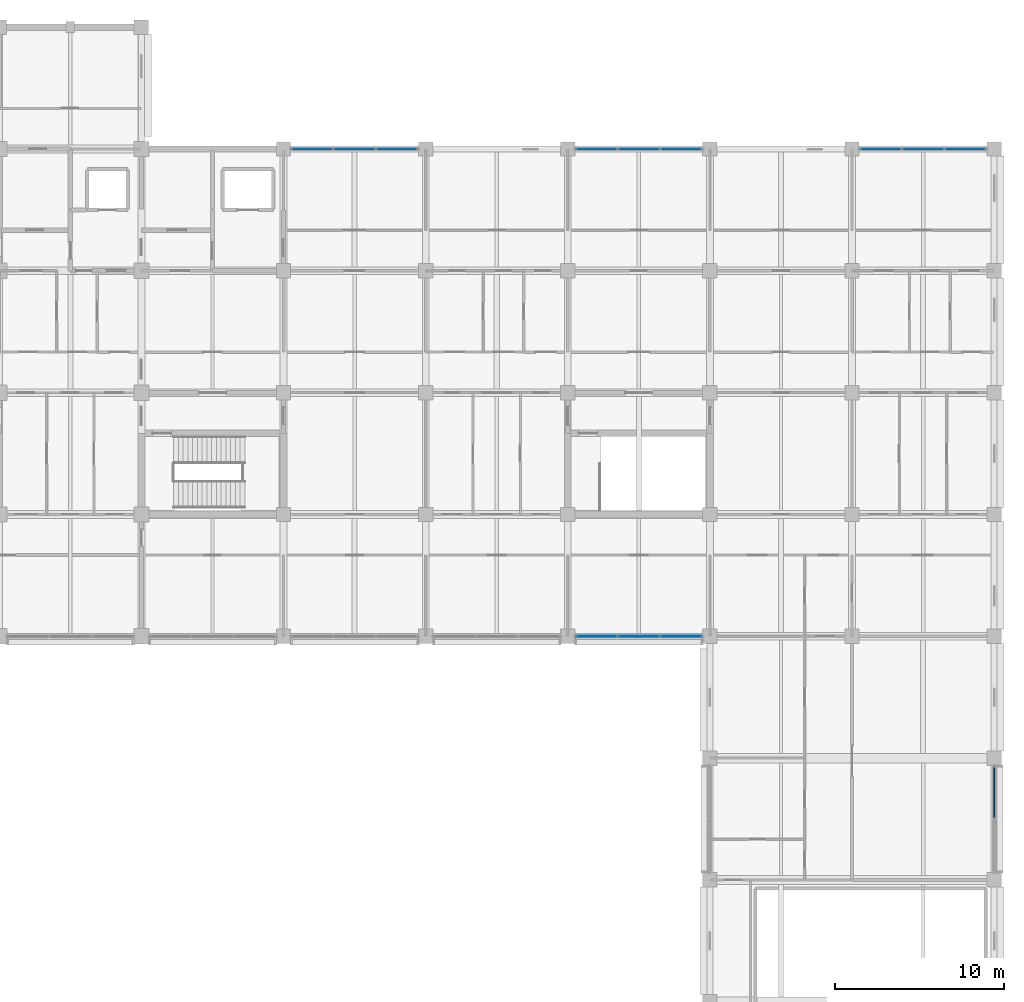
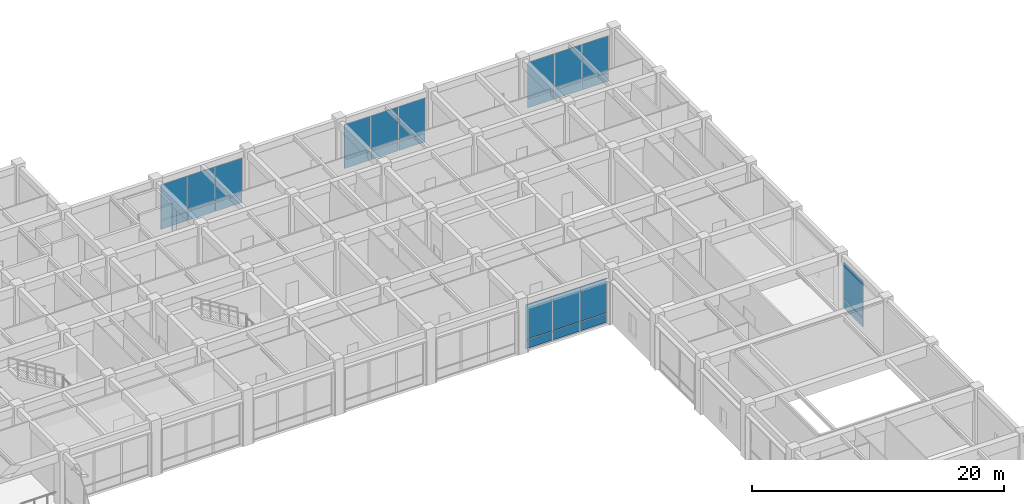
# One storey, part 29 of 58: 26 plates, 5 elements without a shape of their own.
"""IFC4 building model written with IfcOpenShell, lengths in metres."""

from ifc_helpers import new_model, si_unit, direction, frame, origin, origin_2d, place, context, subcontext, project, spatial, rectangle, extrude, material, layer, layer_set, type_object, element, aggregate, save


model = new_model("IFC4")

# Units and contexts
model_context = context("Model", 3, precision=1e-05, world=origin(), true_north=direction((0.0, 1.0)))
body_context = subcontext(model_context, "Body", "Model", "MODEL_VIEW")
ifc_project = project(units=[si_unit("LENGTHUNIT", "METRE"), si_unit("AREAUNIT", "SQUARE_METRE"), si_unit("VOLUMEUNIT", "CUBIC_METRE"), si_unit("PLANEANGLEUNIT", "RADIAN"), si_unit("MASSUNIT", "GRAM", prefix="KILO")], contexts=[model_context])

# Site, building, storey
site_placement = place(None, origin())
site = spatial("IfcSite", under=ifc_project, at=site_placement, CompositionType="ELEMENT")
building_placement = place(site_placement, origin())
building = spatial("IfcBuilding", under=site, at=building_placement, Name="Chengyuan Square Courthouse", CompositionType="ELEMENT")
storey_placement = place(building_placement, frame((0.0, 0.0, 16.199951171875)))
storey = spatial("IfcBuildingStorey", under=building, at=storey_placement, Name="L04", CompositionType="ELEMENT", Elevation=16.199951171875)

# Curtain wall, plates
ifc_material_1 = material(Name="Unitised Aluminium and Triple Low-E Glass", Category="aluminium")
ifc_layer_1 = layer(ifc_material_1, 0.179931640625)
ifc_layer_set_1 = layer_set([ifc_layer_1], Name="Unitised Aluminium and Triple Low-E Glass")
curtain_wall_type_1 = type_object("IfcCurtainWallType", Name="CW-10", PredefinedType="USERDEFINED", material=ifc_layer_set_1)
curtain_wall_1_placement = place(storey_placement, origin())
curtain_wall_1 = element("IfcCurtainWall", 1, at=curtain_wall_1_placement, inside=storey, type_object=curtain_wall_type_1, Name="Unitised Curtain Wall CW-L04-152", ObjectType="UNITISED CURTAIN WALL", PredefinedType="USERDEFINED")
ifc_material_2 = material(Name="Triple Low-E Insulating Glass", Category="glass")
ifc_layer_2 = layer(ifc_material_2, 0.052001953125)
ifc_layer_set_2 = layer_set([ifc_layer_2], Name="Triple Low-E Insulating Glass")
plate_type_1 = type_object("IfcPlateType", Name="CWP-04", PredefinedType="CURTAIN_PANEL", material=ifc_layer_set_2)
plate_1_placement = place(storey_placement, frame((127.699462890625, 108.0, 0.06494140625), z_axis=(0.0, 0.0, 1.0), x_axis=(1.0, 0.0, 0.0)))
plate_1 = element("IfcPlate", 2, at=plate_1_placement, type_object=plate_type_1, Name="CW-10 panel 1.1", PredefinedType="CURTAIN_PANEL", context=body_context, shape_type="SweptSolid", body=[
    extrude(rectangle(XDim=2.419189453125, YDim=0.052001953125, at=origin_2d()), origin(), (0.0, 0.0, 1.0), 0.8525390625),
])
plate_2_placement = place(storey_placement, frame((127.699462890625, 108.0, 0.982421875), z_axis=(0.0, 0.0, 1.0), x_axis=(1.0, 0.0, 0.0)))
plate_2 = element("IfcPlate", 3, at=plate_2_placement, type_object=plate_type_1, Name="CW-10 panel 1.2", PredefinedType="CURTAIN_PANEL", context=body_context, shape_type="SweptSolid", body=[
    extrude(rectangle(XDim=2.419189453125, YDim=0.052001953125, at=origin_2d()), origin(), (0.0, 0.0, 1.0), 3.422607421875),
])
plate_3_placement = place(storey_placement, frame((130.199951171875, 108.0, 0.06494140625), z_axis=(0.0, 0.0, 1.0), x_axis=(1.0, 0.0, 0.0)))
plate_3 = element("IfcPlate", 4, at=plate_3_placement, type_object=plate_type_1, Name="CW-10 panel 2.1", PredefinedType="CURTAIN_PANEL", context=body_context, shape_type="SweptSolid", body=[
    extrude(rectangle(XDim=2.45166015625, YDim=0.052001953125, at=origin_2d()), origin(), (0.0, 0.0, 1.0), 0.8525390625),
])
plate_4_placement = place(storey_placement, frame((130.199951171875, 108.0, 0.982421875), z_axis=(0.0, 0.0, 1.0), x_axis=(1.0, 0.0, 0.0)))
plate_4 = element("IfcPlate", 5, at=plate_4_placement, type_object=plate_type_1, Name="CW-10 panel 2.2", PredefinedType="CURTAIN_PANEL", context=body_context, shape_type="SweptSolid", body=[
    extrude(rectangle(XDim=2.45166015625, YDim=0.052001953125, at=origin_2d()), origin(), (0.0, 0.0, 1.0), 3.422607421875),
])
plate_5_placement = place(storey_placement, frame((132.700439453125, 108.0, 0.06494140625), z_axis=(0.0, 0.0, 1.0), x_axis=(1.0, 0.0, 0.0)))
plate_5 = element("IfcPlate", 6, at=plate_5_placement, type_object=plate_type_1, Name="CW-10 panel 3.1", PredefinedType="CURTAIN_PANEL", context=body_context, shape_type="SweptSolid", body=[
    extrude(rectangle(XDim=2.419189453125, YDim=0.052001953125, at=origin_2d()), origin(), (0.0, 0.0, 1.0), 0.8525390625),
])
plate_6_placement = place(storey_placement, frame((132.700439453125, 108.0, 0.982421875), z_axis=(0.0, 0.0, 1.0), x_axis=(1.0, 0.0, 0.0)))
plate_6 = element("IfcPlate", 7, at=plate_6_placement, type_object=plate_type_1, Name="CW-10 panel 3.2", PredefinedType="CURTAIN_PANEL", context=body_context, shape_type="SweptSolid", body=[
    extrude(rectangle(XDim=2.419189453125, YDim=0.052001953125, at=origin_2d()), origin(), (0.0, 0.0, 1.0), 3.422607421875),
])
aggregate(curtain_wall_1, [plate_1, plate_2, plate_3, plate_4, plate_5, plate_6])

curtain_wall_2_placement = place(storey_placement, origin())
curtain_wall_2 = element("IfcCurtainWall", 8, at=curtain_wall_2_placement, inside=storey, type_object=curtain_wall_type_1, Name="Unitised Curtain Wall CW-L04-154", ObjectType="UNITISED CURTAIN WALL", PredefinedType="USERDEFINED")
plate_7_placement = place(storey_placement, frame((144.49951171875, 79.199951171875, 0.06494140625), z_axis=(0.0, 0.0, 1.0), x_axis=(1.0, 0.0, 0.0)))
plate_7 = element("IfcPlate", 9, at=plate_7_placement, type_object=plate_type_1, Name="CW-10 panel 1.1", PredefinedType="CURTAIN_PANEL", context=body_context, shape_type="SweptSolid", body=[
    extrude(rectangle(XDim=2.419189453125, YDim=0.052001953125, at=origin_2d()), origin(), (0.0, 0.0, 1.0), 0.8525390625),
])
plate_8_placement = place(storey_placement, frame((144.49951171875, 79.199951171875, 0.982421875), z_axis=(0.0, 0.0, 1.0), x_axis=(1.0, 0.0, 0.0)))
plate_8 = element("IfcPlate", 10, at=plate_8_placement, type_object=plate_type_1, Name="CW-10 panel 1.2", PredefinedType="CURTAIN_PANEL", context=body_context, shape_type="SweptSolid", body=[
    extrude(rectangle(XDim=2.419189453125, YDim=0.052001953125, at=origin_2d()), origin(), (0.0, 0.0, 1.0), 3.3525390625),
])
plate_9_placement = place(storey_placement, frame((147.0, 79.199951171875, 0.06494140625), z_axis=(0.0, 0.0, 1.0), x_axis=(1.0, 0.0, 0.0)))
plate_9 = element("IfcPlate", 11, at=plate_9_placement, type_object=plate_type_1, Name="CW-10 panel 2.1", PredefinedType="CURTAIN_PANEL", context=body_context, shape_type="SweptSolid", body=[
    extrude(rectangle(XDim=2.45166015625, YDim=0.052001953125, at=origin_2d()), origin(), (0.0, 0.0, 1.0), 0.8525390625),
])
plate_10_placement = place(storey_placement, frame((147.0, 79.199951171875, 0.982421875), z_axis=(0.0, 0.0, 1.0), x_axis=(1.0, 0.0, 0.0)))
plate_10 = element("IfcPlate", 12, at=plate_10_placement, type_object=plate_type_1, Name="CW-10 panel 2.2", PredefinedType="CURTAIN_PANEL", context=body_context, shape_type="SweptSolid", body=[
    extrude(rectangle(XDim=2.45166015625, YDim=0.052001953125, at=origin_2d()), origin(), (0.0, 0.0, 1.0), 3.3525390625),
])
plate_11_placement = place(storey_placement, frame((149.50048828125, 79.199951171875, 0.06494140625), z_axis=(0.0, 0.0, 1.0), x_axis=(1.0, 0.0, 0.0)))
plate_11 = element("IfcPlate", 13, at=plate_11_placement, type_object=plate_type_1, Name="CW-10 panel 3.1", PredefinedType="CURTAIN_PANEL", context=body_context, shape_type="SweptSolid", body=[
    extrude(rectangle(XDim=2.419189453125, YDim=0.052001953125, at=origin_2d()), origin(), (0.0, 0.0, 1.0), 0.8525390625),
])
plate_12_placement = place(storey_placement, frame((149.50048828125, 79.199951171875, 0.982421875), z_axis=(0.0, 0.0, 1.0), x_axis=(1.0, 0.0, 0.0)))
plate_12 = element("IfcPlate", 14, at=plate_12_placement, type_object=plate_type_1, Name="CW-10 panel 3.2", PredefinedType="CURTAIN_PANEL", context=body_context, shape_type="SweptSolid", body=[
    extrude(rectangle(XDim=2.419189453125, YDim=0.052001953125, at=origin_2d()), origin(), (0.0, 0.0, 1.0), 3.3525390625),
])
aggregate(curtain_wall_2, [plate_7, plate_8, plate_9, plate_10, plate_11, plate_12])

curtain_wall_3_placement = place(storey_placement, origin())
curtain_wall_3 = element("IfcCurtainWall", 15, at=curtain_wall_3_placement, inside=storey, type_object=curtain_wall_type_1, Name="Unitised Curtain Wall CW-L04-155", ObjectType="UNITISED CURTAIN WALL", PredefinedType="USERDEFINED")
plate_13_placement = place(storey_placement, frame((144.49951171875, 108.0, 0.06494140625), z_axis=(0.0, 0.0, 1.0), x_axis=(1.0, 0.0, 0.0)))
plate_13 = element("IfcPlate", 16, at=plate_13_placement, type_object=plate_type_1, Name="CW-10 panel 1.1", PredefinedType="CURTAIN_PANEL", context=body_context, shape_type="SweptSolid", body=[
    extrude(rectangle(XDim=2.419189453125, YDim=0.052001953125, at=origin_2d()), origin(), (0.0, 0.0, 1.0), 0.8525390625),
])
plate_14_placement = place(storey_placement, frame((144.49951171875, 108.0, 0.982421875), z_axis=(0.0, 0.0, 1.0), x_axis=(1.0, 0.0, 0.0)))
plate_14 = element("IfcPlate", 17, at=plate_14_placement, type_object=plate_type_1, Name="CW-10 panel 1.2", PredefinedType="CURTAIN_PANEL", context=body_context, shape_type="SweptSolid", body=[
    extrude(rectangle(XDim=2.419189453125, YDim=0.052001953125, at=origin_2d()), origin(), (0.0, 0.0, 1.0), 3.3525390625),
])
plate_15_placement = place(storey_placement, frame((147.0, 108.0, 0.06494140625), z_axis=(0.0, 0.0, 1.0), x_axis=(1.0, 0.0, 0.0)))
plate_15 = element("IfcPlate", 18, at=plate_15_placement, type_object=plate_type_1, Name="CW-10 panel 2.1", PredefinedType="CURTAIN_PANEL", context=body_context, shape_type="SweptSolid", body=[
    extrude(rectangle(XDim=2.45166015625, YDim=0.052001953125, at=origin_2d()), origin(), (0.0, 0.0, 1.0), 0.8525390625),
])
plate_16_placement = place(storey_placement, frame((147.0, 108.0, 0.982421875), z_axis=(0.0, 0.0, 1.0), x_axis=(1.0, 0.0, 0.0)))
plate_16 = element("IfcPlate", 19, at=plate_16_placement, type_object=plate_type_1, Name="CW-10 panel 2.2", PredefinedType="CURTAIN_PANEL", context=body_context, shape_type="SweptSolid", body=[
    extrude(rectangle(XDim=2.45166015625, YDim=0.052001953125, at=origin_2d()), origin(), (0.0, 0.0, 1.0), 3.3525390625),
])
plate_17_placement = place(storey_placement, frame((149.50048828125, 108.0, 0.06494140625), z_axis=(0.0, 0.0, 1.0), x_axis=(1.0, 0.0, 0.0)))
plate_17 = element("IfcPlate", 20, at=plate_17_placement, type_object=plate_type_1, Name="CW-10 panel 3.1", PredefinedType="CURTAIN_PANEL", context=body_context, shape_type="SweptSolid", body=[
    extrude(rectangle(XDim=2.419189453125, YDim=0.052001953125, at=origin_2d()), origin(), (0.0, 0.0, 1.0), 0.8525390625),
])
plate_18_placement = place(storey_placement, frame((149.50048828125, 108.0, 0.982421875), z_axis=(0.0, 0.0, 1.0), x_axis=(1.0, 0.0, 0.0)))
plate_18 = element("IfcPlate", 21, at=plate_18_placement, type_object=plate_type_1, Name="CW-10 panel 3.2", PredefinedType="CURTAIN_PANEL", context=body_context, shape_type="SweptSolid", body=[
    extrude(rectangle(XDim=2.419189453125, YDim=0.052001953125, at=origin_2d()), origin(), (0.0, 0.0, 1.0), 3.3525390625),
])
aggregate(curtain_wall_3, [plate_13, plate_14, plate_15, plate_16, plate_17, plate_18])

curtain_wall_4_placement = place(storey_placement, origin())
curtain_wall_4 = element("IfcCurtainWall", 22, at=curtain_wall_4_placement, inside=storey, type_object=curtain_wall_type_1, Name="Unitised Curtain Wall CW-L04-162", ObjectType="UNITISED CURTAIN WALL", PredefinedType="USERDEFINED")
plate_19_placement = place(storey_placement, frame((161.299560546875, 108.0, 0.06494140625), z_axis=(0.0, 0.0, 1.0), x_axis=(1.0, 0.0, 0.0)))
plate_19 = element("IfcPlate", 23, at=plate_19_placement, type_object=plate_type_1, Name="CW-10 panel 1.1", PredefinedType="CURTAIN_PANEL", context=body_context, shape_type="SweptSolid", body=[
    extrude(rectangle(XDim=2.419189453125, YDim=0.052001953125, at=origin_2d()), origin(), (0.0, 0.0, 1.0), 0.8525390625),
])
plate_20_placement = place(storey_placement, frame((161.299560546875, 108.0, 0.982666015625), z_axis=(0.0, 0.0, 1.0), x_axis=(1.0, 0.0, 0.0)))
plate_20 = element("IfcPlate", 24, at=plate_20_placement, type_object=plate_type_1, Name="CW-10 panel 1.2", PredefinedType="CURTAIN_PANEL", context=body_context, shape_type="SweptSolid", body=[
    extrude(rectangle(XDim=2.419189453125, YDim=0.052001953125, at=origin_2d()), origin(), (0.0, 0.0, 1.0), 3.50244140625),
])
plate_21_placement = place(storey_placement, frame((163.800048828125, 108.0, 0.06494140625), z_axis=(0.0, 0.0, 1.0), x_axis=(1.0, 0.0, 0.0)))
plate_21 = element("IfcPlate", 25, at=plate_21_placement, type_object=plate_type_1, Name="CW-10 panel 2.1", PredefinedType="CURTAIN_PANEL", context=body_context, shape_type="SweptSolid", body=[
    extrude(rectangle(XDim=2.45166015625, YDim=0.052001953125, at=origin_2d()), origin(), (0.0, 0.0, 1.0), 0.8525390625),
])
plate_22_placement = place(storey_placement, frame((163.800048828125, 108.0, 0.982666015625), z_axis=(0.0, 0.0, 1.0), x_axis=(1.0, 0.0, 0.0)))
plate_22 = element("IfcPlate", 26, at=plate_22_placement, type_object=plate_type_1, Name="CW-10 panel 2.2", PredefinedType="CURTAIN_PANEL", context=body_context, shape_type="SweptSolid", body=[
    extrude(rectangle(XDim=2.45166015625, YDim=0.052001953125, at=origin_2d()), origin(), (0.0, 0.0, 1.0), 3.50244140625),
])
plate_23_placement = place(storey_placement, frame((166.300537109375, 108.0, 0.06494140625), z_axis=(0.0, 0.0, 1.0), x_axis=(1.0, 0.0, 0.0)))
plate_23 = element("IfcPlate", 27, at=plate_23_placement, type_object=plate_type_1, Name="CW-10 panel 3.1", PredefinedType="CURTAIN_PANEL", context=body_context, shape_type="SweptSolid", body=[
    extrude(rectangle(XDim=2.419189453125, YDim=0.052001953125, at=origin_2d()), origin(), (0.0, 0.0, 1.0), 0.8525390625),
])
plate_24_placement = place(storey_placement, frame((166.300537109375, 108.0, 0.982666015625), z_axis=(0.0, 0.0, 1.0), x_axis=(1.0, 0.0, 0.0)))
plate_24 = element("IfcPlate", 28, at=plate_24_placement, type_object=plate_type_1, Name="CW-10 panel 3.2", PredefinedType="CURTAIN_PANEL", context=body_context, shape_type="SweptSolid", body=[
    extrude(rectangle(XDim=2.419189453125, YDim=0.052001953125, at=origin_2d()), origin(), (0.0, 0.0, 1.0), 3.50244140625),
])
aggregate(curtain_wall_4, [plate_19, plate_20, plate_21, plate_22, plate_23, plate_24])

ifc_layer_3 = layer(ifc_material_1, 0.199951171875)
ifc_layer_set_3 = layer_set([ifc_layer_3], Name="Unitised Aluminium and Triple Low-E Glass")
curtain_wall_type_2 = type_object("IfcCurtainWallType", Name="CW-23", PredefinedType="USERDEFINED", material=ifc_layer_set_3)
curtain_wall_5_placement = place(storey_placement, origin())
curtain_wall_5 = element("IfcCurtainWall", 29, at=curtain_wall_5_placement, inside=storey, type_object=curtain_wall_type_2, Name="Unitised Curtain Wall CW-L04-161", ObjectType="UNITISED CURTAIN WALL", PredefinedType="USERDEFINED")
ifc_layer_4 = layer(ifc_material_2, 0.06201171875)
ifc_layer_set_4 = layer_set([ifc_layer_4], Name="Triple Low-E Insulating Glass")
plate_type_2 = type_object("IfcPlateType", Name="CWP-05", PredefinedType="CURTAIN_PANEL", material=ifc_layer_set_4)
plate_25_placement = place(storey_placement, frame((168.0, 69.969970703125, 0.06982421875), z_axis=(0.0, 0.0, 1.0), x_axis=(0.0, 1.0, 0.0)))
plate_25 = element("IfcPlate", 30, at=plate_25_placement, type_object=plate_type_2, Name="CW-23 panel 2.1", PredefinedType="CURTAIN_PANEL", context=body_context, shape_type="SweptSolid", body=[
    extrude(rectangle(XDim=3.070068359375, YDim=0.06201171875, at=origin_2d()), origin(), (0.0, 0.0, 1.0), 0.844970703125),
])
plate_26_placement = place(storey_placement, frame((168.0, 69.969970703125, 0.985107421875), z_axis=(0.0, 0.0, 1.0), x_axis=(0.0, 1.0, 0.0)))
plate_26 = element("IfcPlate", 31, at=plate_26_placement, type_object=plate_type_2, Name="CW-23 panel 2.2", PredefinedType="CURTAIN_PANEL", context=body_context, shape_type="SweptSolid", body=[
    extrude(rectangle(XDim=3.070068359375, YDim=0.06201171875, at=origin_2d()), origin(), (0.0, 0.0, 1.0), 3.4951171875),
])
aggregate(curtain_wall_5, [plate_25, plate_26])

save(model, "model.ifc")
